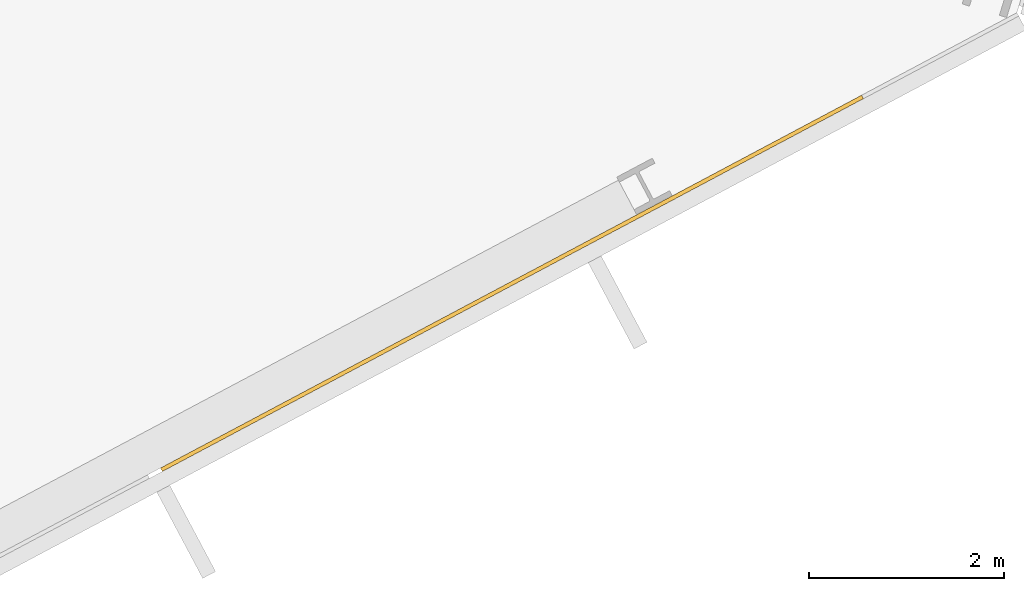
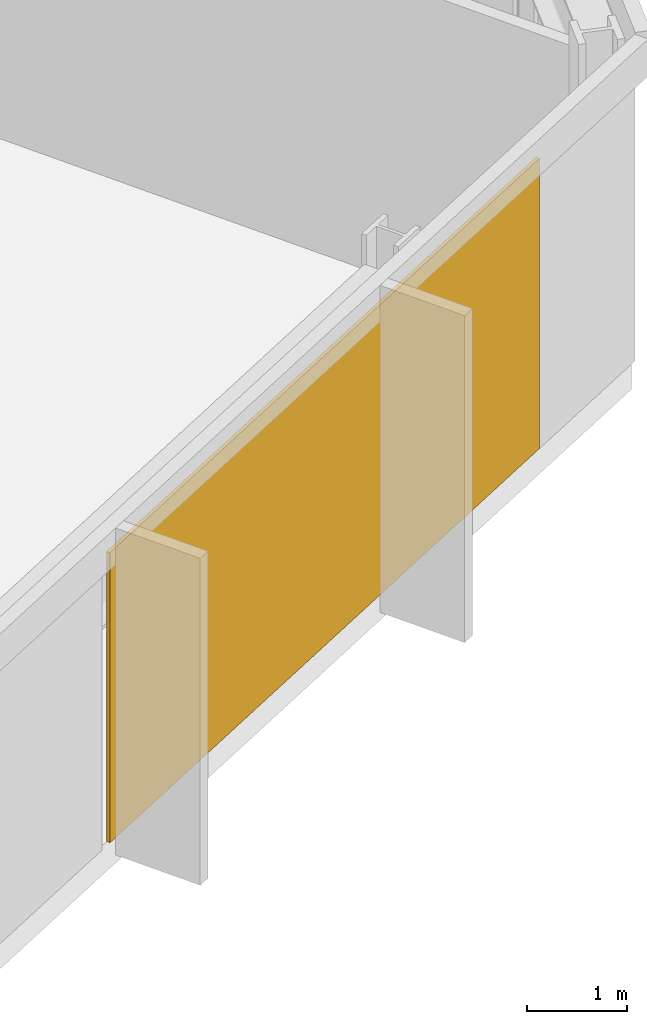
# One storey, part 26 of 28: 1 covering, 1 element without a shape of its own.
"""IFC4 building model written with IfcOpenShell, lengths in metres."""

from ifc_helpers import new_model, si_unit, direction, frame, origin, origin_2d, place, context, subcontext, project, spatial, rectangle, extrude, material, layer, layer_set, type_object, element, aggregate, save


model = new_model("IFC4")

# Units and contexts
model_context = context("Model", 3, precision=1e-05, world=origin(), true_north=direction((0.0, 1.0)))
body_context = subcontext(model_context, "Body", "Model", "MODEL_VIEW")
ifc_project = project(units=[si_unit("LENGTHUNIT", "METRE"), si_unit("AREAUNIT", "SQUARE_METRE"), si_unit("VOLUMEUNIT", "CUBIC_METRE"), si_unit("PLANEANGLEUNIT", "RADIAN"), si_unit("MASSUNIT", "GRAM", prefix="KILO")], contexts=[model_context])

# Site, building, storey
site_placement = place(None, origin())
site = spatial("IfcSite", under=ifc_project, at=site_placement, CompositionType="ELEMENT")
building_placement = place(site_placement, origin())
building = spatial("IfcBuilding", under=site, at=building_placement, Name="Cormorant Relay Tower", CompositionType="ELEMENT")
storey_placement = place(building_placement, frame((0.0, 0.0, 166.199951171875)))
storey = spatial("IfcBuildingStorey", under=building, at=storey_placement, Name="L35", CompositionType="ELEMENT", Elevation=166.199951171875)

# Curtain wall, covering
ifc_material_1 = material(Name="Aluminium 6063-T6 anodised bronze", Category="aluminium")
ifc_layer_1 = layer(ifc_material_1, 0.199951171875)
ifc_layer_set_1 = layer_set([ifc_layer_1], Name="CW1 unitised bronze curtain wall with vertical fins")
curtain_wall_type = type_object("IfcCurtainWallType", Name="CW1 unitised bronze curtain wall with vertical fins", PredefinedType="NOTDEFINED", material=ifc_layer_set_1)
curtain_wall_placement = place(storey_placement, origin())
curtain_wall = element("IfcCurtainWall", 1, at=curtain_wall_placement, inside=storey, type_object=curtain_wall_type, Name="CW1 curtain wall 4", PredefinedType="NOTDEFINED")
ifc_material_2 = material(Name="Pale bronze anodised aluminium insulated panel", Category="aluminium")
ifc_layer_2 = layer(ifc_material_2, 0.0400390625)
ifc_layer_set_2 = layer_set([ifc_layer_2], Name="CW1 pale bronze insulated panel 40")
covering_type = type_object("IfcCoveringType", Name="CW1 pale bronze insulated panel 40", PredefinedType="CLADDING", material=ifc_layer_set_2)
covering_placement = place(storey_placement, frame((50.54931640625, 5.336181640625, 0.0), z_axis=(0.0, 0.0, 1.0), x_axis=(0.882947592859, 0.469471562786, 0.0)))
covering = element("IfcCovering", 2, at=covering_placement, type_object=covering_type, Name="CW1 panel S04", PredefinedType="CLADDING", context=body_context, shape_type="SweptSolid", body=[
    extrude(rectangle(XDim=8.125, YDim=0.0400390625, at=origin_2d()), origin(), (0.0, 0.0, 1.0), 3.550048828125),
])
aggregate(curtain_wall, [covering])

save(model, "model.ifc")
